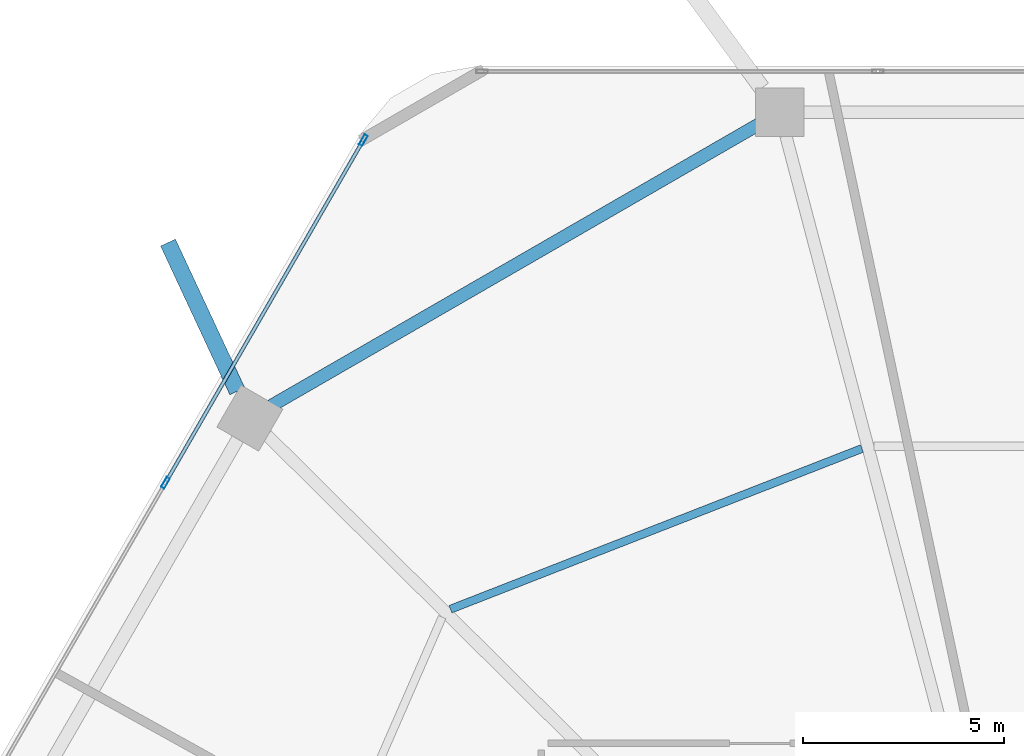
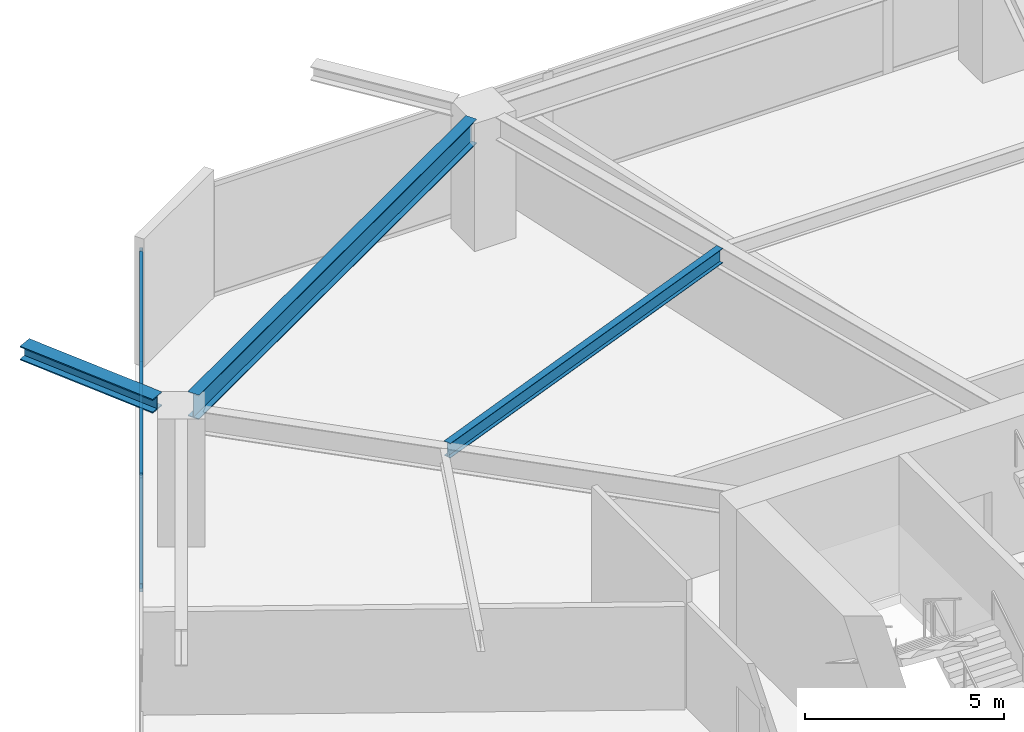
# One storey, part 14 of 25: 4 members, 3 beams, 1 element without a shape of its own.
"""IFC4 building model written with IfcOpenShell, lengths in metres."""

from ifc_helpers import new_model, si_unit, direction, frame, origin, origin_2d, place, context, subcontext, project, spatial, hollow_rectangle, i_section, extrude, material, material_profile, profile_set, type_object, element, aggregate, save


model = new_model("IFC4")

# Units and contexts
model_context = context("Model", 3, precision=1e-05, world=origin(), true_north=direction((0.0, 1.0)))
body_context = subcontext(model_context, "Body", "Model", "MODEL_VIEW")
ifc_project = project(units=[si_unit("LENGTHUNIT", "METRE"), si_unit("AREAUNIT", "SQUARE_METRE"), si_unit("VOLUMEUNIT", "CUBIC_METRE"), si_unit("PLANEANGLEUNIT", "RADIAN"), si_unit("MASSUNIT", "GRAM", prefix="KILO")], contexts=[model_context])

# Site, building, storey
site_placement = place(None, origin())
site = spatial("IfcSite", under=ifc_project, at=site_placement, CompositionType="ELEMENT")
building_placement = place(site_placement, origin())
building = spatial("IfcBuilding", under=site, at=building_placement, Name="Zuhravey Tower", CompositionType="ELEMENT")
storey_placement = place(building_placement, frame((0.0, 0.0, 54.0)))
storey = spatial("IfcBuildingStorey", under=building, at=storey_placement, Name="L13", CompositionType="ELEMENT", Elevation=54.0)

# Curtain wall, members
ifc_material_1 = material(Name="Thermally broken anodised aluminium", Category="aluminium")
curtain_wall_type = type_object("IfcCurtainWallType", Name="School Low-E Unitised Curtain Wall CW1", PredefinedType="NOTDEFINED", material=ifc_material_1)
curtain_wall_placement = place(storey_placement, origin())
curtain_wall = element("IfcCurtainWall", 1, at=curtain_wall_placement, inside=storey, type_object=curtain_wall_type, Name="L13 CW1 CW-L13-F3-1", PredefinedType="NOTDEFINED")
ifc_material_2 = material(Name="Anodised aluminium", Category="aluminium")
ifc_material_profile_1 = material_profile(ifc_material_2, hollow_rectangle(XDim=0.090087890625, YDim=0.284912109375, WallThickness=0.0048828125, at=origin_2d()), Name="ALU-RHS-90x285x5")
ifc_profile_set_1 = profile_set([ifc_material_profile_1], Name="Anodised aluminium")
member_type_1 = type_object("IfcMemberType", Name="Curtain-Wall Mullion 90x180", PredefinedType="MULLION", material=ifc_profile_set_1)
member_1_placement = place(storey_placement, frame((13.387939453125, 50.75146484375, 0.0), z_axis=(0.0, 0.0, 1.0), x_axis=(-0.86602552265, 0.499999794119, 0.0)))
member_1 = element("IfcMember", 2, at=member_1_placement, type_object=member_type_1, Name="CW1 mullion 3", PredefinedType="MULLION", context=body_context, shape_type="SweptSolid", body=[
    extrude(hollow_rectangle(XDim=0.090087890625, YDim=0.284912109375, WallThickness=0.0048828125, at=origin_2d()), origin(), (0.0, 0.0, 1.0), 3.491943359375),
])
member_2_placement = place(storey_placement, frame((18.298583984375, 59.257080078125, 0.0), z_axis=(0.0, 0.0, 1.0), x_axis=(-0.86602552265, 0.499999794119, 0.0)))
member_2 = element("IfcMember", 3, at=member_2_placement, type_object=member_type_1, Name="CW1 mullion 4", PredefinedType="MULLION", context=body_context, shape_type="SweptSolid", body=[
    extrude(hollow_rectangle(XDim=0.090087890625, YDim=0.284912109375, WallThickness=0.0048828125, at=origin_2d()), origin(), (0.0, 0.0, 1.0), 3.491943359375),
])
ifc_material_profile_2 = material_profile(ifc_material_2, hollow_rectangle(XDim=0.090087890625, YDim=0.14990234375, WallThickness=0.0048828125, at=origin_2d()), Name="ALU-RHS-90x150x5")
ifc_profile_set_2 = profile_set([ifc_material_profile_2], Name="Anodised aluminium")
member_type_2 = type_object("IfcMemberType", Name="Curtain-Wall Transom 90x150", PredefinedType="USERDEFINED", material=ifc_profile_set_2)
member_3_placement = place(storey_placement, frame((13.410400390625, 50.79052734375, 0.044921875), z_axis=(0.499989576763, 0.86603142156, 0.0), x_axis=(-0.86603142156, 0.499989576763, 0.0)))
member_3 = element("IfcMember", 4, at=member_3_placement, type_object=member_type_2, Name="CW1 transom 3.1", ObjectType="TRANSOM", PredefinedType="USERDEFINED", context=body_context, shape_type="SweptSolid", body=[
    extrude(hollow_rectangle(XDim=0.090087890625, YDim=0.14990234375, WallThickness=0.0048828125, at=origin_2d()), origin(), (0.0, 0.0, 1.0), 9.731201171875),
])
member_4_placement = place(storey_placement, frame((13.410400390625, 50.79052734375, 3.447021484375), z_axis=(0.499989576763, 0.86603142156, 0.0), x_axis=(-0.86603142156, 0.499989576763, 0.0)))
member_4 = element("IfcMember", 5, at=member_4_placement, type_object=member_type_2, Name="CW1 transom 3.2", ObjectType="TRANSOM", PredefinedType="USERDEFINED", context=body_context, shape_type="SweptSolid", body=[
    extrude(hollow_rectangle(XDim=0.090087890625, YDim=0.14990234375, WallThickness=0.0048828125, at=origin_2d()), origin(), (0.0, 0.0, 1.0), 9.731201171875),
])
aggregate(curtain_wall, [member_1, member_2, member_3, member_4])

# Beams
ifc_material_3 = material(Name="Steel SM460", Category="steel")
ifc_material_profile_3 = material_profile(ifc_material_3, i_section(OverallWidth=0.406982421875, OverallDepth=0.427978515625, WebThickness=0.02001953125, FlangeThickness=0.034912109375, at=origin_2d()), Name="H-428x407x20x35")
ifc_profile_set_3 = profile_set([ifc_material_profile_3], Name="Steel SM460")
beam_type_1 = type_object("IfcBeamType", Name="Exoskeleton Node Tie Beam H428x407", PredefinedType="BEAM", material=ifc_profile_set_3)
beam_1_placement = place(storey_placement, frame((15.169921875, 53.0244140625, 3.7060546875), z_axis=(-0.422481617475, 0.906371492764, 0.0), x_axis=(-0.906371492764, -0.422481617475, 0.0)))
element("IfcBeam", 6, at=beam_1_placement, inside=storey, type_object=beam_type_1, Name="L13 Exoskeleton Node Tie NT1-05", PredefinedType="BEAM", context=body_context, shape_type="SweptSolid", body=[
    extrude(i_section(OverallWidth=0.406982421875, OverallDepth=0.427978515625, WebThickness=0.02001953125, FlangeThickness=0.034912109375, at=origin_2d()), origin(), (0.0, 0.0, 1.0), 4.071044921875),
])
ifc_material_4 = material(Name="Steel SM355", Category="steel")
ifc_material_profile_4 = material_profile(ifc_material_4, i_section(OverallWidth=0.320068359375, OverallDepth=0.75, WebThickness=0.013916015625, FlangeThickness=0.02490234375, at=origin_2d()), Name="H-750x320x14x25")
ifc_profile_set_4 = profile_set([ifc_material_profile_4], Name="Steel SM355")
beam_type_2 = type_object("IfcBeamType", Name="Perimeter Ring Beam H750x320", PredefinedType="BEAM", material=ifc_profile_set_4)
beam_2_placement = place(storey_placement, frame((28.10791015625, 59.64697265625, 3.544921875), z_axis=(-0.866029969761, -0.499992091414, 0.0), x_axis=(0.499992091414, -0.866029969761, 0.0)))
element("IfcBeam", 7, at=beam_2_placement, inside=storey, type_object=beam_type_2, Name="L13 PB1 BM-L13-PB-04", PredefinedType="BEAM", context=body_context, shape_type="SweptSolid", body=[
    extrude(i_section(OverallWidth=0.320068359375, OverallDepth=0.75, WebThickness=0.013916015625, FlangeThickness=0.02490234375, at=origin_2d()), origin(), (0.0, 0.0, 1.0), 13.977294921875),
])
ifc_material_profile_5 = material_profile(ifc_material_4, i_section(OverallWidth=0.199951171875, OverallDepth=0.449951171875, WebThickness=0.009033203125, FlangeThickness=0.013916015625, at=origin_2d()), Name="H-450x200x9x14")
ifc_profile_set_5 = profile_set([ifc_material_profile_5], Name="Steel SM355")
beam_type_3 = type_object("IfcBeamType", Name="Secondary Floor Joist H450x200", PredefinedType="JOIST", material=ifc_profile_set_5)
beam_3_placement = place(storey_placement, frame((30.67236328125, 51.60302734375, 3.695068359375), z_axis=(-0.931516535886, -0.363698973562, 0.0), x_axis=(0.363698973562, -0.931516535886, 0.0)))
element("IfcBeam", 8, at=beam_3_placement, inside=storey, type_object=beam_type_3, Name="L13 SJ1 BM-L13-SJ-04-1", PredefinedType="JOIST", context=body_context, shape_type="SweptSolid", body=[
    extrude(i_section(OverallWidth=0.199951171875, OverallDepth=0.449951171875, WebThickness=0.009033203125, FlangeThickness=0.013916015625, at=origin_2d()), origin(), (0.0, 0.0, 1.0), 10.963134765625),
])

save(model, "model.ifc")
